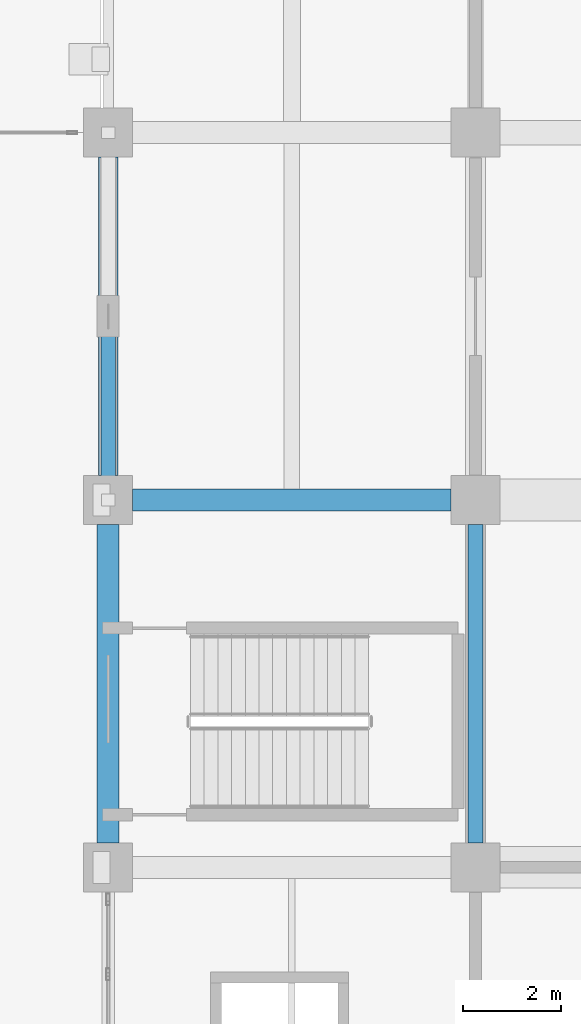
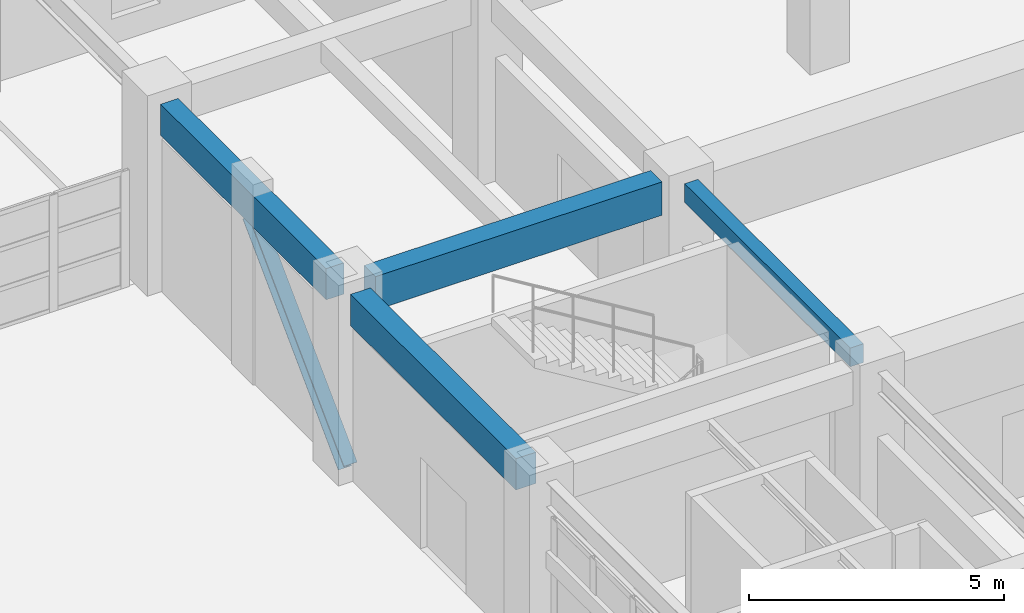
# One storey, part 35 of 122: 4 beams, 1 member.
"""IFC4 building model written with IfcOpenShell, lengths in metres."""

from ifc_helpers import new_model, si_unit, direction, frame, origin, origin_2d, place, context, subcontext, project, spatial, rectangle, i_section, extrude, material, material_profile, profile_set, type_object, element, save


model = new_model("IFC4")

# Units and contexts
model_context = context("Model", 3, precision=1e-05, world=origin(), true_north=direction((0.0, 1.0)))
body_context = subcontext(model_context, "Body", "Model", "MODEL_VIEW")
ifc_project = project(units=[si_unit("LENGTHUNIT", "METRE"), si_unit("AREAUNIT", "SQUARE_METRE"), si_unit("VOLUMEUNIT", "CUBIC_METRE"), si_unit("PLANEANGLEUNIT", "RADIAN"), si_unit("MASSUNIT", "GRAM", prefix="KILO")], contexts=[model_context])

# Site, building, storey
site_placement = place(None, origin())
site = spatial("IfcSite", under=ifc_project, at=site_placement, CompositionType="ELEMENT")
building_placement = place(site_placement, origin())
building = spatial("IfcBuilding", under=site, at=building_placement, Name="Qasida Concert Hall", CompositionType="ELEMENT")
storey_placement = place(building_placement, origin())
storey = spatial("IfcBuildingStorey", under=building, at=storey_placement, Name="L00", CompositionType="ELEMENT", Elevation=0.0)

# Beams
ifc_material_1 = material(Name="Concrete C40/50", Category="concrete")
ifc_material_profile_1 = material_profile(ifc_material_1, rectangle(XDim=0.300048828125, YDim=0.449951171875, at=origin_2d()), Name="RC 300x450")
ifc_profile_set_1 = profile_set([ifc_material_profile_1], Name="Concrete C40/50")
beam_type_1 = type_object("IfcBeamType", Name="BM-B3", PredefinedType="BEAM", material=ifc_profile_set_1)
beam_1_placement = place(storey_placement, frame((60.0, 60.5, 4.27490234375), z_axis=(0.0, 1.0, 0.0), x_axis=(-1.0, 0.0, 0.0)))
element("IfcBeam", 1, at=beam_1_placement, inside=storey, type_object=beam_type_1, Name="L00 girder 0413", PredefinedType="BEAM", context=body_context, shape_type="SweptSolid", body=[
    extrude(rectangle(XDim=0.300048828125, YDim=0.449951171875, at=origin_2d()), origin(), (0.0, 0.0, 1.0), 6.5),
])
ifc_material_profile_2 = material_profile(ifc_material_1, rectangle(XDim=0.449951171875, YDim=0.800048828125, at=origin_2d()), Name="RC 450x800")
ifc_profile_set_2 = profile_set([ifc_material_profile_2], Name="Concrete C40/50")
beam_type_2 = type_object("IfcBeamType", Name="BM-G2", PredefinedType="USERDEFINED", material=ifc_profile_set_2)
beam_2_placement = place(storey_placement, frame((53.0, 67.5, 4.10009765625), z_axis=(1.0, 0.0, 0.0), x_axis=(0.0, 1.0, 0.0)))
element("IfcBeam", 2, at=beam_2_placement, inside=storey, type_object=beam_type_2, Name="Primary girder 0385", ObjectType="GIRDER", PredefinedType="USERDEFINED", context=body_context, shape_type="SweptSolid", body=[
    extrude(rectangle(XDim=0.449951171875, YDim=0.800048828125, at=origin_2d()), origin(), (0.0, 0.0, 1.0), 6.5),
])
ifc_material_profile_3 = material_profile(ifc_material_1, rectangle(XDim=0.39990234375, YDim=0.75, at=origin_2d()), Name="RC 400x750")
ifc_profile_set_3 = profile_set([ifc_material_profile_3], Name="Concrete C40/50")
beam_type_3 = type_object("IfcBeamType", Name="BM-SP1", PredefinedType="SPANDREL", material=ifc_profile_set_3)
beam_3_placement = place(storey_placement, frame((52.5, 68.0, 4.125), z_axis=(0.0, 1.0, 0.0), x_axis=(-1.0, 0.0, 0.0)))
element("IfcBeam", 3, at=beam_3_placement, inside=storey, type_object=beam_type_3, Name="L00 girder 0408", PredefinedType="SPANDREL", context=body_context, shape_type="SweptSolid", body=[
    extrude(rectangle(XDim=0.39990234375, YDim=0.75, at=origin_2d()), origin(), (0.0, 0.0, 1.0), 6.5),
])
ifc_material_profile_4 = material_profile(ifc_material_1, rectangle(XDim=0.449951171875, YDim=0.75, at=origin_2d()), Name="RC 450x750")
ifc_profile_set_4 = profile_set([ifc_material_profile_4], Name="Concrete C40/50")
beam_type_4 = type_object("IfcBeamType", Name="BM-SP4", PredefinedType="SPANDREL", material=ifc_profile_set_4)
beam_4_placement = place(storey_placement, frame((52.5, 60.5, 4.125), z_axis=(0.0, 1.0, 0.0), x_axis=(-1.0, 0.0, 0.0)))
element("IfcBeam", 4, at=beam_4_placement, inside=storey, type_object=beam_type_4, Name="L00 girder 0407", PredefinedType="SPANDREL", context=body_context, shape_type="SweptSolid", body=[
    extrude(rectangle(XDim=0.449951171875, YDim=0.75, at=origin_2d()), origin(), (0.0, 0.0, 1.0), 6.5),
])

# Member
ifc_material_2 = material(Name="Steel S355J2", Category="steel")
ifc_material_profile_5 = material_profile(ifc_material_2, i_section(OverallWidth=0.300048828125, OverallDepth=0.330078125, WebThickness=0.009521484375, FlangeThickness=0.0166015625, FilletRadius=0.027099609375, at=origin_2d()), Name="HEA 340")
ifc_profile_set_5 = profile_set([ifc_material_profile_5], Name="Steel S355J2")
member_type = type_object("IfcMemberType", Name="MB-BR2", PredefinedType="BRACE", material=ifc_profile_set_5)
member_placement = place(storey_placement, frame((52.5, 67.5, 0.0), z_axis=(0.0, 0.707106781187, 0.707106781187), x_axis=(-1.0, 0.0, 0.0)))
element("IfcMember", 5, at=member_placement, inside=storey, type_object=member_type, Name="L00 chevron brace CBF-0001", PredefinedType="BRACE", context=body_context, shape_type="SweptSolid", body=[
    extrude(i_section(OverallWidth=0.300048828125, OverallDepth=0.330078125, WebThickness=0.009521484375, FlangeThickness=0.0166015625, FilletRadius=0.027099609375, at=origin_2d()), origin(), (0.0, 0.0, 1.0), 5.30322265625),
])

save(model, "model.ifc")
